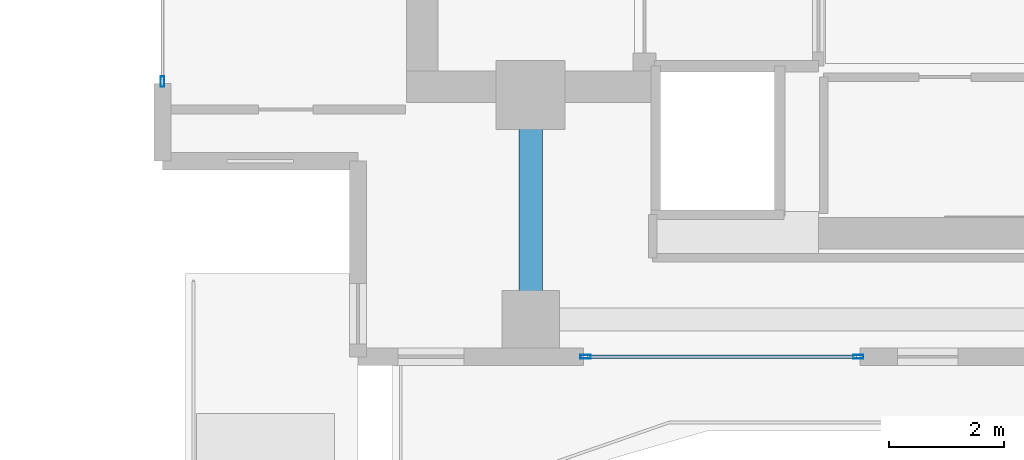
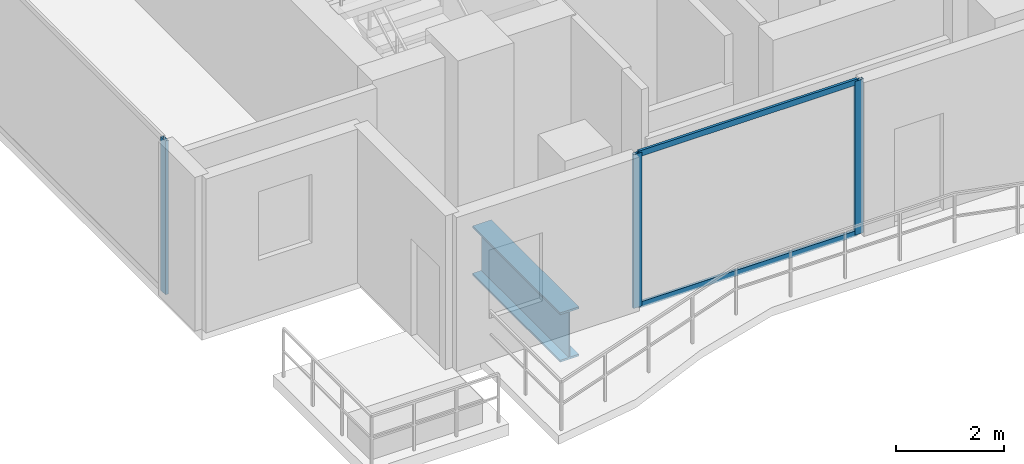
# One storey, part 2 of 28: 5 members, 1 beam, 2 elements without a shape of their own.
"""IFC4 building model written with IfcOpenShell, lengths in metres."""

from ifc_helpers import new_model, si_unit, direction, frame, origin, origin_2d, place, context, subcontext, project, spatial, hollow_rectangle, i_section, extrude, material, layer, layer_set, material_profile, profile_set, type_object, element, aggregate, save


model = new_model("IFC4")

# Units and contexts
model_context = context("Model", 3, precision=1e-05, world=origin(), true_north=direction((0.0, 1.0)))
body_context = subcontext(model_context, "Body", "Model", "MODEL_VIEW")
ifc_project = project(units=[si_unit("LENGTHUNIT", "METRE"), si_unit("AREAUNIT", "SQUARE_METRE"), si_unit("VOLUMEUNIT", "CUBIC_METRE"), si_unit("PLANEANGLEUNIT", "RADIAN"), si_unit("MASSUNIT", "GRAM", prefix="KILO")], contexts=[model_context])

# Site, building, storey
site_placement = place(None, origin())
site = spatial("IfcSite", under=ifc_project, at=site_placement, CompositionType="ELEMENT")
building_placement = place(site_placement, origin())
building = spatial("IfcBuilding", under=site, at=building_placement, Name="Zuhayl Quay Hotel", CompositionType="ELEMENT")
storey_placement = place(building_placement, frame((0.0, 0.0, 239.64990234375)))
storey = spatial("IfcBuildingStorey", under=building, at=storey_placement, Name="L60", CompositionType="ELEMENT", Elevation=239.64990234375)

# Beam
ifc_material_1 = material(Name="Steel ASTM A913 Grade 65", Category="steel")
ifc_material_profile_1 = material_profile(ifc_material_1, i_section(OverallWidth=0.404052734375, OverallDepth=1.117919921875, WebThickness=0.026123046875, FlangeThickness=0.044921875, at=origin_2d()), Name="W44X335")
ifc_profile_set_1 = profile_set([ifc_material_profile_1], Name="Steel ASTM A913 Grade 65")
beam_type = type_object("IfcBeamType", Name="BM_TG1_W44X335", PredefinedType="BEAM", material=ifc_profile_set_1)
beam_placement = place(storey_placement, frame((-13.800048828125, 0.85009765625, -0.81884765625), z_axis=(0.0, 1.0, 0.0), x_axis=(-1.0, 0.0, 0.0)))
element("IfcBeam", 1, at=beam_placement, inside=storey, type_object=beam_type, Name="L60 Floor Beam FG_S_L60_1", PredefinedType="BEAM", context=body_context, shape_type="SweptSolid", body=[
    extrude(i_section(OverallWidth=0.404052734375, OverallDepth=1.117919921875, WebThickness=0.026123046875, FlangeThickness=0.044921875, at=origin_2d()), origin(), (0.0, 0.0, 1.0), 3.25),
])

# Curtain wall, member
ifc_material_2 = material(Name="Anodised Aluminium 6063-T6", Category="aluminium")
ifc_layer = layer(ifc_material_2, 0.169921875, Name="Anodised Aluminium 6063-T6", Category="aluminium")
ifc_layer_set = layer_set([ifc_layer], Name="Anodised Aluminium 6063-T6")
curtain_wall_type = type_object("IfcCurtainWallType", Name="CW_SYS_Z4", PredefinedType="USERDEFINED", material=ifc_layer_set)
curtain_wall_1_placement = place(storey_placement, origin())
curtain_wall_1 = element("IfcCurtainWall", 2, at=curtain_wall_1_placement, inside=storey, type_object=curtain_wall_type, Name="L60 Curtain Wall ENV_L60_E02_CW1", ObjectType="UNITISED CURTAIN WALL", PredefinedType="USERDEFINED")
ifc_material_3 = material(Name="Black-anodised aluminium 6063-T6", Category="aluminium")
ifc_material_profile_2 = material_profile(ifc_material_3, hollow_rectangle(XDim=0.06494140625, YDim=0.179931640625, WallThickness=0.00341796875, at=origin_2d()), Name="ALU180X65")
ifc_profile_set_2 = profile_set([ifc_material_profile_2], Name="Black-anodised aluminium 6063-T6")
member_type_1 = type_object("IfcMemberType", Name="MB_CW_MUL_180", PredefinedType="MULLION", material=ifc_profile_set_2)
member_1_placement = place(storey_placement, frame((-20.199951171875, 4.782470703125, 0.0), z_axis=(0.0, 0.0, 1.0), x_axis=(-1.0, 0.0, 0.0)))
member_1 = element("IfcMember", 3, at=member_1_placement, type_object=member_type_1, Name="CW-Z4 mullion 1", PredefinedType="MULLION", context=body_context, shape_type="SweptSolid", body=[
    extrude(hollow_rectangle(XDim=0.06494140625, YDim=0.179931640625, WallThickness=0.00341796875, at=origin_2d()), origin(), (0.0, 0.0, 1.0), 3.47998046875),
])
aggregate(curtain_wall_1, [member_1])

# Curtain wall, members
curtain_wall_2_placement = place(storey_placement, origin())
curtain_wall_2 = element("IfcCurtainWall", 4, at=curtain_wall_2_placement, inside=storey, type_object=curtain_wall_type, Name="L60 Curtain Wall ENV_L60_S_CW4", ObjectType="UNITISED CURTAIN WALL", PredefinedType="USERDEFINED")
member_2_placement = place(storey_placement, frame((-8.107421875, 0.0, 0.0), z_axis=(0.0, 0.0, 1.0), x_axis=(0.0, -1.0, 0.0)))
member_2 = element("IfcMember", 5, at=member_2_placement, type_object=member_type_1, Name="CW-Z4 mullion 1", PredefinedType="MULLION", context=body_context, shape_type="SweptSolid", body=[
    extrude(hollow_rectangle(XDim=0.06494140625, YDim=0.179931640625, WallThickness=0.00341796875, at=origin_2d()), origin(), (0.0, 0.0, 1.0), 3.47998046875),
])
member_3_placement = place(storey_placement, frame((-12.847412109375, 0.0, 0.0), z_axis=(0.0, 0.0, 1.0), x_axis=(0.0, -1.0, 0.0)))
member_3 = element("IfcMember", 6, at=member_3_placement, type_object=member_type_1, Name="CW-Z4 mullion 2", PredefinedType="MULLION", context=body_context, shape_type="SweptSolid", body=[
    extrude(hollow_rectangle(XDim=0.06494140625, YDim=0.179931640625, WallThickness=0.00341796875, at=origin_2d()), origin(), (0.0, 0.0, 1.0), 3.47998046875),
])
ifc_material_profile_3 = material_profile(ifc_material_3, hollow_rectangle(XDim=0.054931640625, YDim=0.1298828125, WallThickness=0.0029296875, at=origin_2d()), Name="ALU130X55")
ifc_profile_set_3 = profile_set([ifc_material_profile_3], Name="Black-anodised aluminium 6063-T6")
member_type_2 = type_object("IfcMemberType", Name="MB_CW_TRN_130", PredefinedType="USERDEFINED", material=ifc_profile_set_3)
member_4_placement = place(storey_placement, frame((-8.139892578125, 0.0, 0.027587890625), z_axis=(-1.0, 0.0, 0.0), x_axis=(0.0, -1.0, 0.0)))
member_4 = element("IfcMember", 7, at=member_4_placement, type_object=member_type_2, Name="CW-Z4 transom 1.1", ObjectType="TRANSOM", PredefinedType="USERDEFINED", context=body_context, shape_type="SweptSolid", body=[
    extrude(hollow_rectangle(XDim=0.054931640625, YDim=0.1298828125, WallThickness=0.0029296875, at=origin_2d()), origin(), (0.0, 0.0, 1.0), 4.675048828125),
])
member_5_placement = place(storey_placement, frame((-8.139892578125, 0.0, 3.45263671875), z_axis=(-1.0, 0.0, 0.0), x_axis=(0.0, -1.0, 0.0)))
member_5 = element("IfcMember", 8, at=member_5_placement, type_object=member_type_2, Name="CW-Z4 transom 1.2", ObjectType="TRANSOM", PredefinedType="USERDEFINED", context=body_context, shape_type="SweptSolid", body=[
    extrude(hollow_rectangle(XDim=0.054931640625, YDim=0.1298828125, WallThickness=0.0029296875, at=origin_2d()), origin(), (0.0, 0.0, 1.0), 4.675048828125),
])
aggregate(curtain_wall_2, [member_2, member_3, member_4, member_5])

save(model, "model.ifc")
